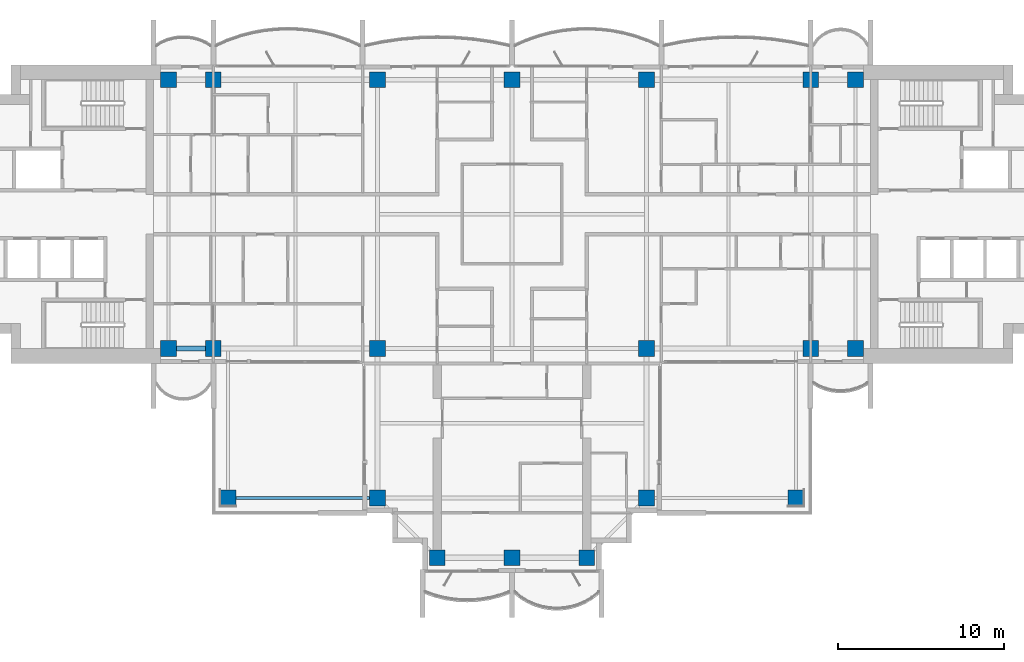
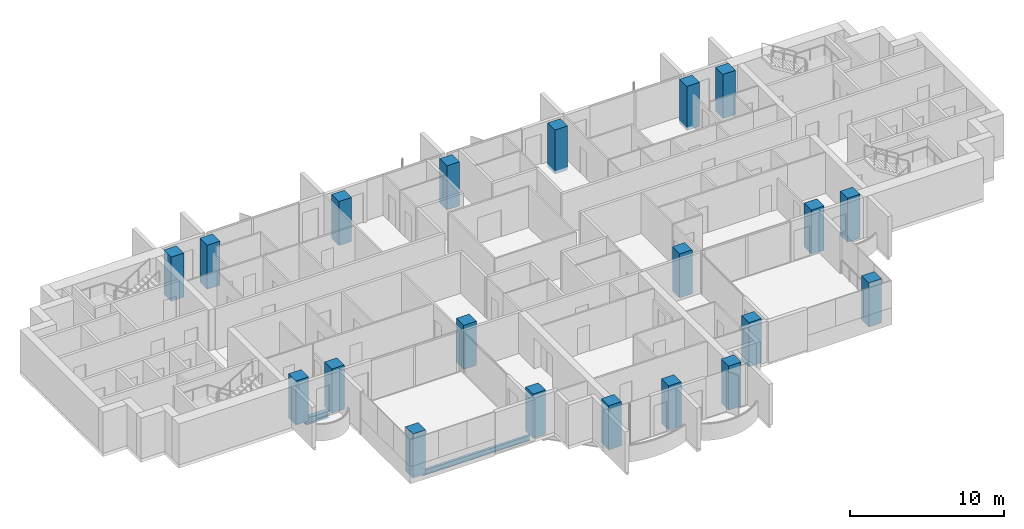
# One storey, part 1 of 18: 20 columns, 2 beams.
"""IFC4 building model written with IfcOpenShell, lengths in metres."""

from ifc_helpers import new_model, si_unit, direction, frame, origin, origin_2d, place, context, subcontext, project, spatial, rectangle, i_section, extrude, material, material_profile, profile_set, type_object, element, save


model = new_model("IFC4")

# Units and contexts
model_context = context("Model", 3, precision=1e-05, world=origin(), true_north=direction((0.0, 1.0)))
body_context = subcontext(model_context, "Body", "Model", "MODEL_VIEW")
ifc_project = project(units=[si_unit("LENGTHUNIT", "METRE"), si_unit("AREAUNIT", "SQUARE_METRE"), si_unit("VOLUMEUNIT", "CUBIC_METRE"), si_unit("PLANEANGLEUNIT", "RADIAN"), si_unit("MASSUNIT", "GRAM", prefix="KILO")], contexts=[model_context])

# Site, building, storey
site_placement = place(None, origin())
site = spatial("IfcSite", under=ifc_project, at=site_placement, CompositionType="ELEMENT")
building_placement = place(site_placement, origin())
building = spatial("IfcBuilding", under=site, at=building_placement, Name="Perihelion Cross Residences", CompositionType="ELEMENT")
storey_placement = place(building_placement, frame((0.0, 0.0, 173.60009765625)))
storey = spatial("IfcBuildingStorey", under=building, at=storey_placement, Name="L42", CompositionType="ELEMENT", Elevation=173.60009765625)

# Columns
ifc_material_1 = material(Name="Concrete C60/75", Category="concrete")
ifc_material_profile_1 = material_profile(ifc_material_1, rectangle(XDim=0.949951171875, YDim=0.949951171875, at=origin_2d()), Name="RC 950x950")
ifc_profile_set_1 = profile_set([ifc_material_profile_1], Name="Concrete C60/75")
column_type = type_object("IfcColumnType", Name="Reinforced concrete column 950x950 C60/75", PredefinedType="COLUMN", material=ifc_profile_set_1)
for number, where, z_axis, x_axis, name in (
    (1, (-20.699951171875, -8.10009765625, -0.25), (0.0, 0.0, 1.0), (1.0, 0.0, 0.0), "Column C017 L42 no. 1"),
    (2, (-20.699951171875, 8.10009765625, -0.25), (0.0, 0.0, 1.0), (1.0, 0.0, 0.0), "Column C010 L42 no. 1"),
    (3, (-18.0, -8.10009765625, -0.25), (0.0, 0.0, 1.0), (1.0, 0.0, 0.0), "Column C018 L42 no. 1"),
    (4, (-18.0, 8.10009765625, -0.25), (0.0, 0.0, 1.0), (1.0, 0.0, 0.0), "Column C011 L42 no. 1"),
    (5, (-8.10009765625, -17.10009765625, -0.25), (0.0, 0.0, 1.0), (1.0, 0.0, 0.0), "Column C031 L42 no. 1"),
    (6, (-8.10009765625, -8.10009765625, -0.25), (0.0, 0.0, 1.0), (1.0, 0.0, 0.0), "Column C019 L42 no. 1"),
    (7, (-8.10009765625, 8.10009765625, -0.25), (0.0, 0.0, 1.0), (1.0, 0.0, 0.0), "Column C012 L42 no. 1"),
    (8, (-4.5, -20.699951171875, -0.25), (0.0, 0.0, 1.0), (1.0, 0.0, 0.0), "Column C037 L42 no. 1"),
    (9, (0.0, -20.699951171875, -0.25), (0.0, 0.0, 1.0), (1.0, 0.0, 0.0), "Column C038 L42 no. 1"),
    (10, (0.0, 8.10009765625, -0.25), (0.0, 0.0, 1.0), (1.0, 0.0, 0.0), "Column C013 L42 no. 1"),
    (11, (4.5, -20.699951171875, -0.25), (0.0, 0.0, 1.0), (1.0, 0.0, 0.0), "Column C039 L42 no. 1"),
    (12, (8.10009765625, -17.10009765625, -0.25), (0.0, 0.0, 1.0), (1.0, 0.0, 0.0), "Column C035 L42 no. 1"),
    (13, (8.10009765625, -8.10009765625, -0.25), (0.0, 0.0, 1.0), (1.0, 0.0, 0.0), "Column C020 L42 no. 1"),
    (14, (8.10009765625, 8.10009765625, -0.25), (0.0, 0.0, 1.0), (1.0, 0.0, 0.0), "Column C014 L42 no. 1"),
    (15, (18.0, -8.10009765625, -0.25), (0.0, 0.0, 1.0), (1.0, 0.0, 0.0), "Column C021 L42 no. 1"),
    (16, (18.0, 8.10009765625, -0.25), (0.0, 0.0, 1.0), (1.0, 0.0, 0.0), "Column C015 L42 no. 1"),
    (17, (20.699951171875, -8.10009765625, -0.25), (0.0, 0.0, 1.0), (1.0, 0.0, 0.0), "Column C022 L42 no. 1"),
    (18, (20.699951171875, 8.10009765625, -0.25), (0.0, 0.0, 1.0), (1.0, 0.0, 0.0), "Column C016 L42 no. 1"),
    (19, (-17.10009765625, -17.10009765625, -0.25), (0.0, 0.0, 1.0), (1.0, 0.0, 0.0), "Column C030 L42 no. 1"),
    (20, (17.10009765625, -17.10009765625, -0.25), (0.0, 0.0, 1.0), (1.0, 0.0, 0.0), "Column C036 L42 no. 1"),
):
    element("IfcColumn", number, at=place(storey_placement, frame(where, z_axis=z_axis, x_axis=x_axis)), inside=storey, type_object=column_type, Name=name, PredefinedType="COLUMN", context=body_context, shape_type="SweptSolid", body=[
        extrude(rectangle(XDim=0.949951171875, YDim=0.949951171875, at=origin_2d()), origin(), (0.0, 0.0, 1.0), 3.5),
    ])

# Beams
ifc_material_2 = material(Name="Steel S355", Category="steel")
ifc_material_profile_2 = material_profile(ifc_material_2, i_section(OverallWidth=0.177978515625, OverallDepth=0.406005859375, WebThickness=0.0078125, FlangeThickness=0.0126953125, at=origin_2d()), Name="W410x60")
ifc_profile_set_2 = profile_set([ifc_material_profile_2], Name="Steel S355")
beam_type_1 = type_object("IfcBeamType", Name="Core edge beam W410x60", PredefinedType="BEAM", material=ifc_profile_set_2)
beam_1_placement = place(storey_placement, frame((-8.574951171875, -17.10009765625, -0.453125), z_axis=(-1.0, 0.0, 0.0), x_axis=(0.0, -1.0, 0.0)))
element("IfcBeam", 21, at=beam_1_placement, inside=storey, type_object=beam_type_1, Name="Core edge beam TB2 L42 corner no. 2", PredefinedType="BEAM", context=body_context, shape_type="SweptSolid", body=[
    extrude(i_section(OverallWidth=0.177978515625, OverallDepth=0.406005859375, WebThickness=0.0078125, FlangeThickness=0.0126953125, at=origin_2d()), origin(), (0.0, 0.0, 1.0), 8.050048828125),
])
ifc_material_3 = material(Name="Steel S355", Category="steel")
ifc_material_profile_3 = material_profile(ifc_material_3, i_section(OverallWidth=0.31201171875, OverallDepth=0.5439453125, WebThickness=0.0126953125, FlangeThickness=0.020263671875, at=origin_2d()), Name="W530x150")
ifc_profile_set_3 = profile_set([ifc_material_profile_3], Name="Steel S355")
beam_type_2 = type_object("IfcBeamType", Name="Edge beam W530x150", PredefinedType="SPANDREL", material=ifc_profile_set_3)
beam_2_placement = place(storey_placement, frame((-20.22509765625, -8.10009765625, -0.522216796875), z_axis=(1.0, 0.0, 0.0), x_axis=(0.0, 1.0, 0.0)))
element("IfcBeam", 22, at=beam_2_placement, inside=storey, type_object=beam_type_2, Name="Edge beam SB4 L42 no. 3", PredefinedType="SPANDREL", context=body_context, shape_type="SweptSolid", body=[
    extrude(i_section(OverallWidth=0.31201171875, OverallDepth=0.5439453125, WebThickness=0.0126953125, FlangeThickness=0.020263671875, at=origin_2d()), origin(), (0.0, 0.0, 1.0), 1.75),
])

save(model, "model.ifc")
